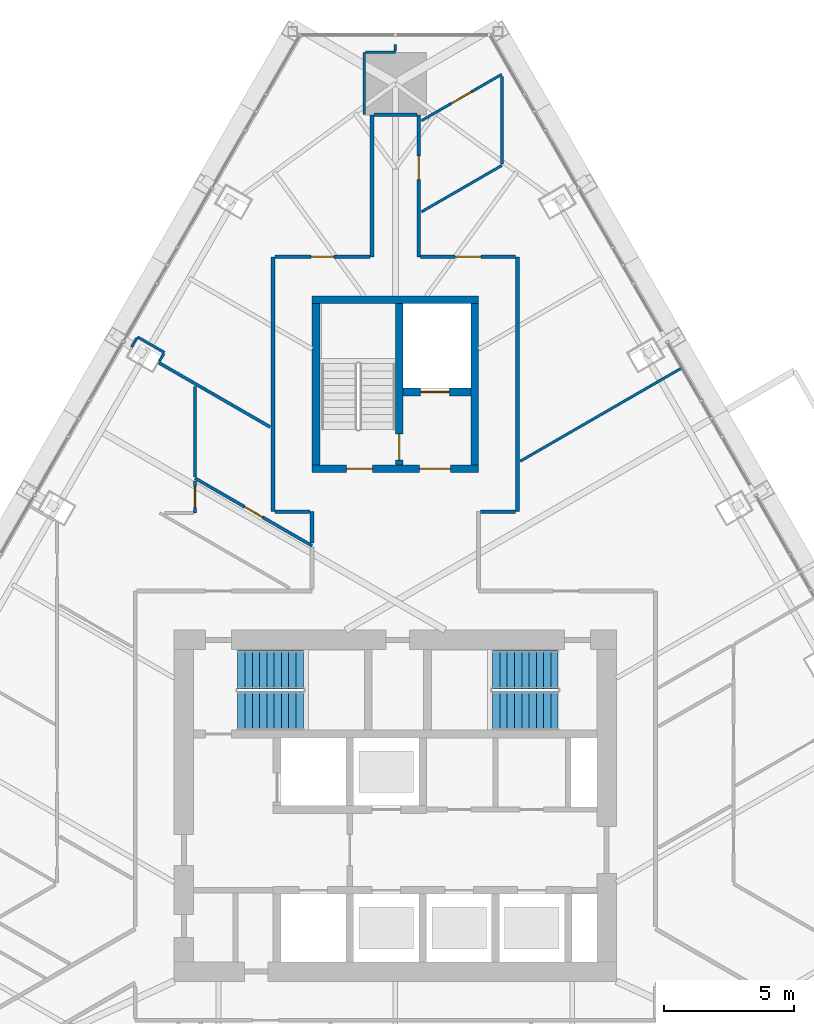
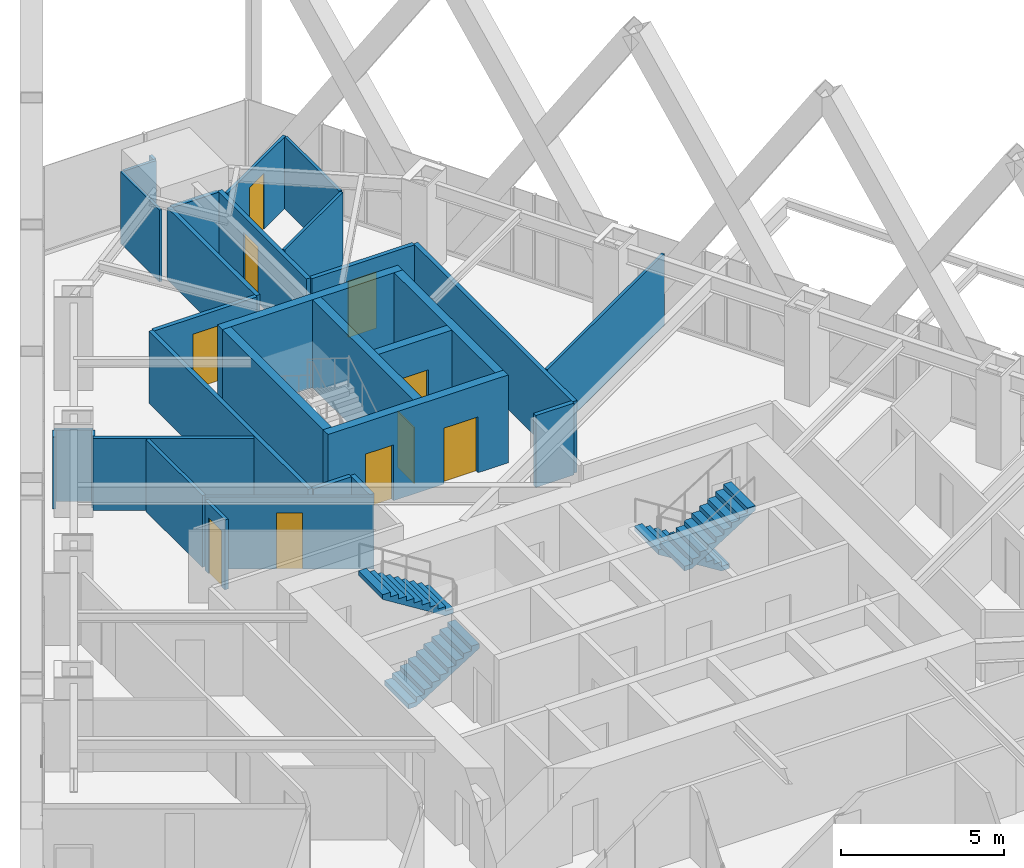
# One storey, part 21 of 24: 30 walls, 10 doors, 4 stair flights, 10 openings, 2 elements without a shape of their own.
"""IFC4 building model written with IfcOpenShell, lengths in metres."""

from ifc_helpers import new_model, si_unit, direction, frame, frame_2d, origin, place, context, subcontext, project, spatial, polyline, rectangle, outline, extrude, material, layer, layer_set, type_object, element, fill, aggregate, save


model = new_model("IFC4")

# Units and contexts
model_context = context("Model", 3, precision=1e-05, world=origin(), true_north=direction((0.0, 1.0)))
body_context = subcontext(model_context, "Body", "Model", "MODEL_VIEW")
ifc_project = project(units=[si_unit("LENGTHUNIT", "METRE"), si_unit("AREAUNIT", "SQUARE_METRE"), si_unit("VOLUMEUNIT", "CUBIC_METRE"), si_unit("PLANEANGLEUNIT", "RADIAN"), si_unit("MASSUNIT", "GRAM", prefix="KILO")], contexts=[model_context])

# Site, building, storey
site_placement = place(None, origin())
site = spatial("IfcSite", under=ifc_project, at=site_placement, CompositionType="ELEMENT")
building_placement = place(site_placement, origin())
building = spatial("IfcBuilding", under=site, at=building_placement, Name="Firuza Gate Tower and Library", CompositionType="ELEMENT")
storey_placement = place(building_placement, frame((0.0, 0.0, 260.10009765625)))
storey = spatial("IfcBuildingStorey", under=building, at=storey_placement, Name="L61", CompositionType="ELEMENT", Elevation=260.10009765625)

# Wall, openings, doors
ifc_material_1 = material(Name="Concrete C60/75", Category="concrete")
ifc_layer_1 = layer(ifc_material_1, 0.300048828125)
ifc_layer_set_1 = layer_set([ifc_layer_1], Name="Core wall 300 C60/75")
wall_type_1 = type_object("IfcWallType", Name="Core wall 300 C60/75", PredefinedType="SHEAR", material=ifc_layer_set_1)
wall_1_placement = place(storey_placement, frame((71.800048828125, 87.949951171875, 0.0), z_axis=(0.0, 0.0, 1.0), x_axis=(1.0, 0.0, 0.0)))
wall_1 = element("IfcWall", 1, at=wall_1_placement, inside=storey, type_object=wall_type_1, Name="Core wall L61 18", PredefinedType="SHEAR", context=body_context, shape_type="SweptSolid", body=[
    extrude(rectangle(XDim=6.39990234375, YDim=0.300048828125, at=frame_2d((3.199951171875, 0.0))), origin(), (0.0, 0.0, 1.0), 3.2998046875),
])
opening_1_placement = place(wall_1_placement, frame((1.324951171875, 0.0, 0.0)))
opening_1 = element("IfcOpeningElement", 2, at=opening_1_placement, cuts=wall_1, Name="Opening L61-K11", PredefinedType="OPENING", context=body_context, shape_type="SweptSolid", body=[
    extrude(rectangle(XDim=1.0, YDim=2.10009765625, at=frame_2d((0.5, 1.050048828125))), frame((0.0, 0.16015625, 0.0), z_axis=(0.0, -1.0, 0.0), x_axis=(1.0, 0.0, 0.0)), (0.0, 0.0, 1.0), 0.320068359375),
])
opening_2_placement = place(wall_1_placement, frame((4.125, 0.0, 0.0)))
opening_2 = element("IfcOpeningElement", 3, at=opening_2_placement, cuts=wall_1, Name="Opening L61-K13", PredefinedType="OPENING", context=body_context, shape_type="SweptSolid", body=[
    extrude(rectangle(XDim=1.199951171875, YDim=2.10009765625, at=frame_2d((0.60009765625, 1.050048828125))), frame((0.0, 0.16015625, 0.0), z_axis=(0.0, -1.0, 0.0), x_axis=(1.0, 0.0, 0.0)), (0.0, 0.0, 1.0), 0.320068359375),
])
ifc_material_2 = material(Name="Steel", Category="steel")
door_type_1 = type_object("IfcDoorType", Name="Fire door 1000x2100 FD90", OperationType="NOTDEFINED", PredefinedType="DOOR", material=ifc_material_2)
door_1_placement = place(opening_1_placement, origin())
door_1 = element("IfcDoor", 4, at=door_1_placement, inside=storey, type_object=door_type_1, Name="Door L61-K11", OperationType="SINGLE_SWING_RIGHT", OverallHeight=2.10009765625, OverallWidth=1.0, PredefinedType="DOOR", context=body_context, shape_type="SweptSolid", body=[
    extrude(rectangle(XDim=1.0, YDim=2.10009765625, at=frame_2d((0.5, 1.050048828125))), frame((0.0, 0.02490234375, 0.0), z_axis=(0.0, -1.0, 0.0), x_axis=(1.0, 0.0, 0.0)), (0.0, 0.0, 1.0), 0.050048828125),
])
fill(opening_1, door_1)
ifc_material_3 = material(Name="Steel", Category="steel")
door_type_2 = type_object("IfcDoorType", Name="Fire door 1200x2100 FD30S", OperationType="NOTDEFINED", PredefinedType="DOOR", material=ifc_material_3)
door_2_placement = place(opening_2_placement, origin())
door_2 = element("IfcDoor", 5, at=door_2_placement, inside=storey, type_object=door_type_2, Name="Door L61-K13", OperationType="SINGLE_SWING_RIGHT", OverallHeight=2.10009765625, OverallWidth=1.199951171875, PredefinedType="DOOR", context=body_context, shape_type="SweptSolid", body=[
    extrude(rectangle(XDim=1.199951171875, YDim=2.10009765625, at=frame_2d((0.60009765625, 1.050048828125))), frame((0.0, 0.02490234375, 0.0), z_axis=(0.0, -1.0, 0.0), x_axis=(1.0, 0.0, 0.0)), (0.0, 0.0, 1.0), 0.050048828125),
])
fill(opening_2, door_2)

# Walls
wall_2_placement = place(storey_placement, frame((71.800048828125, 94.449951171875, 0.0), z_axis=(0.0, 0.0, 1.0), x_axis=(1.0, 0.0, 0.0)))
element("IfcWall", 6, at=wall_2_placement, inside=storey, type_object=wall_type_1, Name="Core wall L61 19", PredefinedType="SHEAR", context=body_context, shape_type="SweptSolid", body=[
    extrude(rectangle(XDim=6.39990234375, YDim=0.300048828125, at=frame_2d((3.199951171875, 0.0))), origin(), (0.0, 0.0, 1.0), 3.2998046875),
])
for number, where, z_axis, x_axis, name in (
    (7, (71.949951171875, 88.10009765625, 0.0), (0.0, 0.0, 1.0), (0.0, 1.0, 0.0), "Core wall L61 20"),
    (8, (78.050048828125, 88.10009765625, 0.0), (0.0, 0.0, 1.0), (0.0, 1.0, 0.0), "Core wall L61 21"),
):
    element("IfcWall", number, at=place(storey_placement, frame(where, z_axis=z_axis, x_axis=x_axis)), inside=storey, type_object=wall_type_1, Name=name, PredefinedType="SHEAR", context=body_context, shape_type="SweptSolid", body=[
        extrude(rectangle(XDim=6.199951171875, YDim=0.300048828125, at=frame_2d((3.10009765625, 0.0))), origin(), (0.0, 0.0, 1.0), 3.2998046875),
    ])

# Wall, opening, door
wall_3_placement = place(storey_placement, frame((75.300048828125, 90.89990234375, 0.0), z_axis=(0.0, 0.0, 1.0), x_axis=(1.0, 0.0, 0.0)))
wall_3 = element("IfcWall", 9, at=wall_3_placement, inside=storey, type_object=wall_type_1, Name="Core wall L61 22", PredefinedType="SHEAR", context=body_context, shape_type="SweptSolid", body=[
    extrude(rectangle(XDim=2.599853515625, YDim=0.300048828125, at=frame_2d((1.2998046875, 0.0))), origin(), (0.0, 0.0, 1.0), 3.2998046875),
])
opening_3_placement = place(wall_3_placement, frame((0.675048828125, 0.0, 0.0)))
opening_3 = element("IfcOpeningElement", 10, at=opening_3_placement, cuts=wall_3, Name="Opening LD-SV1-L61", PredefinedType="OPENING", context=body_context, shape_type="SweptSolid", body=[
    extrude(rectangle(XDim=1.10009765625, YDim=2.10009765625, at=frame_2d((0.550048828125, 1.050048828125))), frame((0.0, 0.16015625, 0.0), z_axis=(0.0, -1.0, 0.0), x_axis=(1.0, 0.0, 0.0)), (0.0, 0.0, 1.0), 0.320068359375),
])
ifc_material_4 = material(Name="Stainless steel", Category="steel")
door_type_3 = type_object("IfcDoorType", Name="Lift landing door 1100x2100", OperationType="DOUBLE_DOOR_SLIDING", PredefinedType="DOOR", material=ifc_material_4)
door_3_placement = place(opening_3_placement, origin())
door_3 = element("IfcDoor", 11, at=door_3_placement, inside=storey, type_object=door_type_3, Name="Landing door SV1 L61", OperationType="DOUBLE_DOOR_SLIDING", OverallHeight=2.10009765625, OverallWidth=1.10009765625, PredefinedType="DOOR", context=body_context, shape_type="SweptSolid", body=[
    extrude(rectangle(XDim=1.10009765625, YDim=2.10009765625, at=frame_2d((0.550048828125, 1.050048828125))), frame((0.0, 0.02490234375, 0.0), z_axis=(0.0, -1.0, 0.0), x_axis=(1.0, 0.0, 0.0)), (0.0, 0.0, 1.0), 0.050048828125),
])
fill(opening_3, door_3)

wall_4_placement = place(storey_placement, frame((75.14990234375, 88.10009765625, 0.0), z_axis=(0.0, 0.0, 1.0), x_axis=(0.0, 1.0, 0.0)))
wall_4 = element("IfcWall", 12, at=wall_4_placement, inside=storey, type_object=wall_type_1, Name="Core wall L61 23", PredefinedType="SHEAR", context=body_context, shape_type="SweptSolid", body=[
    extrude(rectangle(XDim=6.199951171875, YDim=0.300048828125, at=frame_2d((3.10009765625, 0.0))), origin(), (0.0, 0.0, 1.0), 3.2998046875),
])
opening_4_placement = place(wall_4_placement, frame((0.18505859375, 0.0, 0.0)))
opening_4 = element("IfcOpeningElement", 13, at=opening_4_placement, cuts=wall_4, Name="Opening L61-K12", PredefinedType="OPENING", context=body_context, shape_type="SweptSolid", body=[
    extrude(rectangle(XDim=1.0, YDim=2.10009765625, at=frame_2d((0.5, 1.050048828125))), frame((0.0, 0.16015625, 0.0), z_axis=(0.0, -1.0, 0.0), x_axis=(1.0, 0.0, 0.0)), (0.0, 0.0, 1.0), 0.320068359375),
])
door_4_placement = place(opening_4_placement, origin())
door_4 = element("IfcDoor", 14, at=door_4_placement, inside=storey, type_object=door_type_1, Name="Door L61-K12", OperationType="SINGLE_SWING_LEFT", OverallHeight=2.10009765625, OverallWidth=1.0, PredefinedType="DOOR", context=body_context, shape_type="SweptSolid", body=[
    extrude(rectangle(XDim=1.0, YDim=2.10009765625, at=frame_2d((0.5, 1.050048828125))), frame((0.0, 0.02490234375, 0.0), z_axis=(0.0, -1.0, 0.0), x_axis=(1.0, 0.0, 0.0)), (0.0, 0.0, 1.0), 0.050048828125),
])
fill(opening_4, door_4)

# Walls
ifc_material_5 = material(Name="Gypsum board partition")
ifc_layer_2 = layer(ifc_material_5, 0.14990234375)
ifc_layer_set_2 = layer_set([ifc_layer_2], Name="Corridor wall 150 double board on steel studs")
wall_type_2 = type_object("IfcWallType", Name="Corridor wall 150 double board on steel studs", PredefinedType="PARTITIONING", material=ifc_layer_set_2)
wall_5_placement = place(storey_placement, frame((70.375, 86.300048828125, 0.0), z_axis=(0.0, 0.0, 1.0), x_axis=(1.0, 0.0, 0.0)))
element("IfcWall", 15, at=wall_5_placement, inside=storey, type_object=wall_type_2, Name="f:L61:w007", PredefinedType="PARTITIONING", context=body_context, shape_type="SweptSolid", body=[
    extrude(rectangle(XDim=1.35009765625, YDim=0.14990234375, at=frame_2d((0.675048828125, 0.0))), origin(), (0.0, 0.0, 1.0), 2.699951171875),
])
wall_6_placement = place(storey_placement, frame((78.27490234375, 86.300048828125, 0.0), z_axis=(0.0, 0.0, 1.0), x_axis=(1.0, 0.0, 0.0)))
element("IfcWall", 16, at=wall_6_placement, inside=storey, type_object=wall_type_2, Name="f:L61:w008", PredefinedType="PARTITIONING", context=body_context, shape_type="SweptSolid", body=[
    extrude(rectangle(XDim=1.349609375, YDim=0.14990234375, at=frame_2d((0.6748046875, 0.0))), origin(), (0.0, 0.0, 1.0), 2.699951171875),
])

# Wall, opening, door
wall_7_placement = place(storey_placement, frame((70.37548828125, 96.10009765625, 0.0), z_axis=(0.0, 0.0, 1.0), x_axis=(1.0, 0.0, 0.0)))
wall_7 = element("IfcWall", 17, at=wall_7_placement, inside=storey, type_object=wall_type_2, Name="f:L61:w009", PredefinedType="PARTITIONING", context=body_context, shape_type="SweptSolid", body=[
    extrude(rectangle(XDim=3.6494140625, YDim=0.14990234375, at=frame_2d((1.82470703125, 0.0))), origin(), (0.0, 0.0, 1.0), 2.699951171875),
])
opening_5_placement = place(wall_7_placement, frame((1.374755859375, 0.0, 0.0)))
opening_5 = element("IfcOpeningElement", 18, at=opening_5_placement, cuts=wall_7, Name="Opening L61-09", PredefinedType="OPENING", context=body_context, shape_type="SweptSolid", body=[
    extrude(rectangle(XDim=0.89990234375, YDim=2.10009765625, at=frame_2d((0.449951171875, 1.050048828125))), frame((0.0, 0.0849609375, 0.0), z_axis=(0.0, -1.0, 0.0), x_axis=(1.0, 0.0, 0.0)), (0.0, 0.0, 1.0), 0.169921875),
])
ifc_material_6 = material(Name="Steel door and timber leaf", Category="steel")
door_type_4 = type_object("IfcDoorType", Name="Fire door 900 x 2100 steel frame, timber leaf", OperationType="NOTDEFINED", PredefinedType="DOOR", material=ifc_material_6)
door_5_placement = place(opening_5_placement, origin())
door_5 = element("IfcDoor", 19, at=door_5_placement, inside=storey, type_object=door_type_4, Name="f:L61:d009", OperationType="SINGLE_SWING_LEFT", OverallHeight=2.10009765625, OverallWidth=0.89990234375, PredefinedType="DOOR", context=body_context, shape_type="SweptSolid", body=[
    extrude(rectangle(XDim=0.89990234375, YDim=2.10009765625, at=frame_2d((0.449951171875, 1.050048828125))), frame((0.0, 0.02490234375, 0.0), z_axis=(0.0, -1.0, 0.0), x_axis=(1.0, 0.0, 0.0)), (0.0, 0.0, 1.0), 0.050048828125),
])
fill(opening_5, door_5)

wall_8_placement = place(storey_placement, frame((79.62451171875, 96.10009765625, 0.0), z_axis=(0.0, 0.0, 1.0), x_axis=(-1.0, 0.0, 0.0)))
wall_8 = element("IfcWall", 20, at=wall_8_placement, inside=storey, type_object=wall_type_2, Name="f:L61:w010", PredefinedType="PARTITIONING", context=body_context, shape_type="SweptSolid", body=[
    extrude(rectangle(XDim=3.6494140625, YDim=0.14990234375, at=frame_2d((1.82470703125, 0.0))), origin(), (0.0, 0.0, 1.0), 2.699951171875),
])
opening_6_placement = place(wall_8_placement, frame((1.32470703125, 0.0, 0.0)))
opening_6 = element("IfcOpeningElement", 21, at=opening_6_placement, cuts=wall_8, Name="Opening L61-10", PredefinedType="OPENING", context=body_context, shape_type="SweptSolid", body=[
    extrude(rectangle(XDim=1.0, YDim=2.10009765625, at=frame_2d((0.5, 1.050048828125))), frame((0.0, 0.0849609375, 0.0), z_axis=(0.0, -1.0, 0.0), x_axis=(1.0, 0.0, 0.0)), (0.0, 0.0, 1.0), 0.169921875),
])
ifc_material_7 = material(Name="Steel door and timber leaf", Category="steel")
door_type_5 = type_object("IfcDoorType", Name="Fire door 1000 x 2100 steel frame, timber leaf", OperationType="NOTDEFINED", PredefinedType="DOOR", material=ifc_material_7)
door_6_placement = place(opening_6_placement, origin())
door_6 = element("IfcDoor", 22, at=door_6_placement, inside=storey, type_object=door_type_5, Name="f:L61:d010", OperationType="SINGLE_SWING_LEFT", OverallHeight=2.10009765625, OverallWidth=1.0, PredefinedType="DOOR", context=body_context, shape_type="SweptSolid", body=[
    extrude(rectangle(XDim=1.0, YDim=2.10009765625, at=frame_2d((0.5, 1.050048828125))), frame((0.0, 0.02490234375, 0.0), z_axis=(0.0, -1.0, 0.0), x_axis=(1.0, 0.0, 0.0)), (0.0, 0.0, 1.0), 0.050048828125),
])
fill(opening_6, door_6)

# Walls
wall_9_placement = place(storey_placement, frame((74.180419921875, 101.56005859375, 0.0), z_axis=(0.0, 0.0, 1.0), x_axis=(1.0, 0.0, 0.0)))
element("IfcWall", 23, at=wall_9_placement, inside=storey, type_object=wall_type_2, Name="f:L61:w011", PredefinedType="PARTITIONING", context=body_context, shape_type="SweptSolid", body=[
    extrude(rectangle(XDim=1.64404296875, YDim=0.14990234375, at=frame_2d((0.822021484375, 0.0))), origin(), (0.0, 0.0, 1.0), 2.697021484375),
])
wall_10_placement = place(storey_placement, frame((79.699951171875, 86.300537109375, 0.0), z_axis=(0.0, 0.0, 1.0), x_axis=(0.0, 1.0, 0.0)))
element("IfcWall", 24, at=wall_10_placement, inside=storey, type_object=wall_type_2, Name="f:L61:w043", PredefinedType="PARTITIONING", context=body_context, shape_type="SweptSolid", body=[
    extrude(rectangle(XDim=9.798828125, YDim=0.14990234375, at=frame_2d((4.8994140625, 0.0))), origin(), (0.0, 0.0, 1.0), 2.699951171875),
])

# Wall, opening, door
wall_11_placement = place(storey_placement, frame((75.89990234375, 101.559814453125, 0.0), z_axis=(0.0, 0.0, 1.0), x_axis=(0.0, -1.0, 0.0)))
wall_11 = element("IfcWall", 25, at=wall_11_placement, inside=storey, type_object=wall_type_2, Name="f:L61:w046", PredefinedType="PARTITIONING", context=body_context, shape_type="SweptSolid", body=[
    extrude(rectangle(XDim=5.459716796875, YDim=0.14990234375, at=frame_2d((2.72998046875, 0.0))), origin(), (0.0, 0.0, 1.0), 2.699951171875),
])
opening_7_placement = place(wall_11_placement, frame((1.589599609375, 0.0, 0.0)))
opening_7 = element("IfcOpeningElement", 26, at=opening_7_placement, cuts=wall_11, Name="Opening L61-23", PredefinedType="OPENING", context=body_context, shape_type="SweptSolid", body=[
    extrude(rectangle(XDim=0.89990234375, YDim=2.10009765625, at=frame_2d((0.449951171875, 1.050048828125))), frame((0.0, 0.0849609375, 0.0), z_axis=(0.0, -1.0, 0.0), x_axis=(1.0, 0.0, 0.0)), (0.0, 0.0, 1.0), 0.169921875),
])
door_7_placement = place(opening_7_placement, origin())
door_7 = element("IfcDoor", 27, at=door_7_placement, inside=storey, type_object=door_type_4, Name="f:L61:d023", OperationType="SINGLE_SWING_RIGHT", OverallHeight=2.10009765625, OverallWidth=0.89990234375, PredefinedType="DOOR", context=body_context, shape_type="SweptSolid", body=[
    extrude(rectangle(XDim=0.89990234375, YDim=2.10009765625, at=frame_2d((0.449951171875, 1.050048828125))), frame((0.0, 0.02490234375, 0.0), z_axis=(0.0, -1.0, 0.0), x_axis=(1.0, 0.0, 0.0)), (0.0, 0.0, 1.0), 0.050048828125),
])
fill(opening_7, door_7)

# Walls
wall_12_placement = place(storey_placement, frame((74.10009765625, 96.10009765625, 0.0), z_axis=(0.0, 0.0, 1.0), x_axis=(0.0, 1.0, 0.0)))
element("IfcWall", 28, at=wall_12_placement, inside=storey, type_object=wall_type_2, Name="f:L61:w048", PredefinedType="PARTITIONING", context=body_context, shape_type="SweptSolid", body=[
    extrude(rectangle(XDim=5.460205078125, YDim=0.14990234375, at=frame_2d((2.72998046875, 0.0))), origin(), (0.0, 0.0, 1.0), 2.699951171875),
])
wall_13_placement = place(storey_placement, frame((70.300048828125, 86.300048828125, 0.0), z_axis=(0.0, 0.0, 1.0), x_axis=(0.0, 1.0, 0.0)))
element("IfcWall", 29, at=wall_13_placement, inside=storey, type_object=wall_type_2, Name="f:L61:w052", PredefinedType="PARTITIONING", context=body_context, shape_type="SweptSolid", body=[
    extrude(rectangle(XDim=9.799560546875, YDim=0.14990234375, at=frame_2d((4.89990234375, 0.0))), origin(), (0.0, 0.0, 1.0), 2.699951171875),
])
wall_14_placement = place(storey_placement, frame((71.800048828125, 85.103271484375, 0.0), z_axis=(0.0, 0.0, 1.0), x_axis=(0.0, 1.0, 0.0)))
element("IfcWall", 30, at=wall_14_placement, inside=storey, type_object=wall_type_2, Name="f:L61:w085", PredefinedType="PARTITIONING", context=body_context, shape_type="SweptSolid", body=[
    extrude(rectangle(XDim=1.19677734375, YDim=0.14990234375, at=frame_2d((0.598388671875, 0.0))), origin(), (0.0, 0.0, 1.0), 2.699951171875),
])
ifc_material_8 = material(Name="Gypsum board partition")
ifc_layer_3 = layer(ifc_material_8, 0.10009765625)
ifc_layer_set_3 = layer_set([ifc_layer_3], Name="Partition 100 gypsum board on steel studs")
wall_type_3 = type_object("IfcWallType", Name="Partition 100 gypsum board on steel studs", PredefinedType="PARTITIONING", material=ifc_layer_set_3)
wall_15_placement = place(storey_placement, frame((73.8505859375, 103.9599609375, 0.0), z_axis=(0.0, 0.0, 1.0), x_axis=(1.0, 0.0, 0.0)))
element("IfcWall", 31, at=wall_15_placement, inside=storey, type_object=wall_type_3, Name="f:L61:w012", PredefinedType="PARTITIONING", context=body_context, shape_type="SweptSolid", body=[
    extrude(rectangle(XDim=1.1494140625, YDim=0.10009765625, at=frame_2d((0.57470703125, 0.0))), origin(), (0.0, 0.0, 1.0), 2.699951171875),
])
wall_16_placement = place(storey_placement, frame((79.80078125, 88.241455078125, 0.0), z_axis=(0.0, 0.0, 1.0), x_axis=(0.866016264047, 0.500015830155, 0.0)))
element("IfcWall", 32, at=wall_16_placement, inside=storey, type_object=wall_type_3, Name="f:L61:w027", PredefinedType="PARTITIONING", context=body_context, shape_type="SweptSolid", body=[
    extrude(rectangle(XDim=7.179443359375, YDim=0.10009765625, at=frame_2d((3.58984375, 0.0))), origin(), (0.0, 0.0, 1.0), 2.68798828125),
])
wall_17_placement = place(storey_placement, frame((76.000732421875, 97.825439453125, 0.0), z_axis=(0.0, 0.0, 1.0), x_axis=(0.866021986329, 0.500005919159, 0.0)))
element("IfcWall", 33, at=wall_17_placement, inside=storey, type_object=wall_type_3, Name="f:L61:w028", PredefinedType="PARTITIONING", context=body_context, shape_type="SweptSolid", body=[
    extrude(rectangle(XDim=3.57861328125, YDim=0.10009765625, at=frame_2d((1.789306640625, 0.0))), origin(), (0.0, 0.0, 1.0), 2.699951171875),
])

# Wall, opening, door
wall_18_placement = place(storey_placement, frame((79.088623046875, 103.114013671875, 0.0), z_axis=(0.0, 0.0, 1.0), x_axis=(-0.866000835515, -0.500042551078, 0.0)))
wall_18 = element("IfcWall", 34, at=wall_18_placement, inside=storey, type_object=wall_type_3, Name="f:L61:w029", PredefinedType="PARTITIONING", context=body_context, shape_type="SweptSolid", body=[
    extrude(rectangle(XDim=3.565185546875, YDim=0.10009765625, at=frame_2d((1.78271484375, 0.0))), origin(), (0.0, 0.0, 1.0), 2.699951171875),
])
opening_8_placement = place(wall_18_placement, frame((1.33251953125, 0.0, 0.0)))
opening_8 = element("IfcOpeningElement", 35, at=opening_8_placement, cuts=wall_18, Name="Opening L61-17", PredefinedType="OPENING", context=body_context, shape_type="SweptSolid", body=[
    extrude(rectangle(XDim=0.89990234375, YDim=2.10009765625, at=frame_2d((0.449951171875, 1.050048828125))), frame((0.0, 0.06005859375, 0.0), z_axis=(0.0, -1.0, 0.0), x_axis=(1.0, 0.0, 0.0)), (0.0, 0.0, 1.0), 0.1201171875),
])
ifc_material_9 = material(Name="Timber door", Category="wood")
door_type_6 = type_object("IfcDoorType", Name="Door 900 x 2100 timber leaf", OperationType="NOTDEFINED", PredefinedType="DOOR", material=ifc_material_9)
door_8_placement = place(opening_8_placement, origin())
door_8 = element("IfcDoor", 36, at=door_8_placement, inside=storey, type_object=door_type_6, Name="f:L61:d017", OperationType="SINGLE_SWING_LEFT", OverallHeight=2.10009765625, OverallWidth=0.89990234375, PredefinedType="DOOR", context=body_context, shape_type="SweptSolid", body=[
    extrude(rectangle(XDim=0.89990234375, YDim=2.10009765625, at=frame_2d((0.449951171875, 1.050048828125))), frame((0.0, 0.02490234375, 0.0), z_axis=(0.0, -1.0, 0.0), x_axis=(1.0, 0.0, 0.0)), (0.0, 0.0, 1.0), 0.050048828125),
])
fill(opening_8, door_8)

# Walls
wall_19_placement = place(storey_placement, frame((65.92919921875, 92.084716796875, 0.0), z_axis=(0.0, 0.0, 1.0), x_axis=(0.49970167553, 0.866197573001, 0.0)))
element("IfcWall", 37, at=wall_19_placement, inside=storey, type_object=wall_type_3, Name="f:L61:w031", PredefinedType="PARTITIONING", context=body_context, shape_type="SweptSolid", body=[
    extrude(rectangle(XDim=0.339111328125, YDim=0.10009765625, at=frame_2d((0.16943359375, 0.0))), origin(), (0.0, 0.0, 1.0), 2.699951171875),
])
wall_20_placement = place(storey_placement, frame((64.85986328125, 92.6328125, 0.0), z_axis=(0.0, 0.0, 1.0), x_axis=(0.500481453673, 0.865747257882, 0.0)))
element("IfcWall", 38, at=wall_20_placement, inside=storey, type_object=wall_type_3, Name="f:L61:w032", PredefinedType="PARTITIONING", context=body_context, shape_type="SweptSolid", body=[
    extrude(rectangle(XDim=0.39892578125, YDim=0.10009765625, at=frame_2d((0.199462890625, 0.0))), origin(), (0.0, 0.0, 1.0), 2.699951171875),
])
wall_21_placement = place(storey_placement, frame((79.10009765625, 99.672119140625, 0.0), z_axis=(0.0, 0.0, 1.0), x_axis=(0.0, 1.0, 0.0)))
element("IfcWall", 39, at=wall_21_placement, inside=storey, type_object=wall_type_3, Name="f:L61:w044", PredefinedType="PARTITIONING", context=body_context, shape_type="SweptSolid", body=[
    extrude(rectangle(XDim=3.3544921875, YDim=0.10009765625, at=frame_2d((1.67724609375, 0.0))), origin(), (0.0, 0.0, 1.0), 2.699951171875),
])
wall_22_placement = place(storey_placement, frame((75.0, 104.01025390625, 0.0), z_axis=(0.0, 0.0, 1.0), x_axis=(0.0, 1.0, 0.0)))
element("IfcWall", 40, at=wall_22_placement, inside=storey, type_object=wall_type_3, Name="f:L61:w047", PredefinedType="PARTITIONING", context=body_context, shape_type="SweptSolid", body=[
    extrude(rectangle(XDim=0.25, YDim=0.10009765625, at=frame_2d((0.125, 0.0))), origin(), (0.0, 0.0, 1.0), 2.699951171875),
])
wall_23_placement = place(storey_placement, frame((73.800048828125, 101.560791015625, 0.0), z_axis=(0.0, 0.0, 1.0), x_axis=(0.0, 1.0, 0.0)))
element("IfcWall", 41, at=wall_23_placement, inside=storey, type_object=wall_type_3, Name="f:L61:w049", PredefinedType="PARTITIONING", context=body_context, shape_type="SweptSolid", body=[
    extrude(rectangle(XDim=2.39892578125, YDim=0.10009765625, at=frame_2d((1.199462890625, 0.0))), origin(), (0.0, 0.0, 1.0), 2.699951171875),
])
wall_24_placement = place(storey_placement, frame((66.12353515625, 92.42236328125, 0.0), z_axis=(0.0, 0.0, 1.0), x_axis=(-0.865978732077, 0.500080829057, 0.0)))
element("IfcWall", 42, at=wall_24_placement, inside=storey, type_object=wall_type_3, Name="f:L61:w064", PredefinedType="PARTITIONING", context=body_context, shape_type="SweptSolid", body=[
    extrude(rectangle(XDim=1.198974609375, YDim=0.10009765625, at=frame_2d((0.599609375, 0.0))), origin(), (0.0, 0.0, 1.0), 2.68798828125),
])

# Wall, opening, door
ifc_material_10 = material(Name="Gypsum board partition")
ifc_layer_4 = layer(ifc_material_10, 0.1201171875)
ifc_layer_set_4 = layer_set([ifc_layer_4], Name="Wet-area partition 120 moisture-resistant board")
wall_type_4 = type_object("IfcWallType", Name="Wet-area partition 120 moisture-resistant board", PredefinedType="PARTITIONING", material=ifc_layer_set_4)
wall_25_placement = place(storey_placement, frame((67.300048828125, 87.484619140625, 0.0), z_axis=(0.0, 0.0, 1.0), x_axis=(0.0, -1.0, 0.0)))
wall_25 = element("IfcWall", 43, at=wall_25_placement, inside=storey, type_object=wall_type_4, Name="f:L61:w054", PredefinedType="PARTITIONING", context=body_context, shape_type="SweptSolid", body=[
    extrude(rectangle(XDim=1.234130859375, YDim=0.1201171875, at=frame_2d((0.6171875, 0.0))), origin(), (0.0, 0.0, 1.0), 2.621826171875),
])
opening_9_placement = place(wall_25_placement, frame((0.217041015625, 0.0, 0.0)))
opening_9 = element("IfcOpeningElement", 44, at=opening_9_placement, cuts=wall_25, Name="Opening L61-25", PredefinedType="OPENING", context=body_context, shape_type="SweptSolid", body=[
    extrude(rectangle(XDim=0.800048828125, YDim=2.10009765625, at=frame_2d((0.39990234375, 1.050048828125))), frame((0.0, 0.070068359375, 0.0), z_axis=(0.0, -1.0, 0.0), x_axis=(1.0, 0.0, 0.0)), (0.0, 0.0, 1.0), 0.14013671875),
])
ifc_material_11 = material(Name="Timber door", Category="wood")
door_type_7 = type_object("IfcDoorType", Name="Door 800 x 2100 timber leaf", OperationType="NOTDEFINED", PredefinedType="DOOR", material=ifc_material_11)
door_9_placement = place(opening_9_placement, origin())
door_9 = element("IfcDoor", 45, at=door_9_placement, inside=storey, type_object=door_type_7, Name="f:L61:d025", OperationType="SINGLE_SWING_LEFT", OverallHeight=2.10009765625, OverallWidth=0.800048828125, PredefinedType="DOOR", context=body_context, shape_type="SweptSolid", body=[
    extrude(rectangle(XDim=0.800048828125, YDim=2.10009765625, at=frame_2d((0.39990234375, 1.050048828125))), frame((0.0, 0.02490234375, 0.0), z_axis=(0.0, -1.0, 0.0), x_axis=(1.0, 0.0, 0.0)), (0.0, 0.0, 1.0), 0.050048828125),
])
fill(opening_9, door_9)

# Wall
wall_26_placement = place(storey_placement, frame((70.1904296875, 89.554931640625, 0.0), z_axis=(0.0, 0.0, 1.0), x_axis=(-0.866036249428, 0.499981214323, 0.0)))
element("IfcWall", 46, at=wall_26_placement, inside=storey, type_object=wall_type_4, Name="f:L61:w065", PredefinedType="PARTITIONING", context=body_context, shape_type="SweptSolid", body=[
    extrude(rectangle(XDim=4.954833984375, YDim=0.1201171875, at=frame_2d((2.4775390625, 0.0))), origin(), (0.0, 0.0, 1.0), 2.699951171875),
])

# Wall, opening, door
wall_27_placement = place(storey_placement, frame((67.2998046875, 87.5888671875, 0.0), z_axis=(0.0, 0.0, 1.0), x_axis=(0.866019710441, -0.50000986103, 0.0)))
wall_27 = element("IfcWall", 47, at=wall_27_placement, inside=storey, type_object=wall_type_4, Name="f:L61:w066", PredefinedType="PARTITIONING", context=body_context, shape_type="SweptSolid", body=[
    extrude(rectangle(XDim=5.1962890625, YDim=0.1201171875, at=frame_2d((2.59814453125, 0.0))), origin(), (0.0, 0.0, 1.0), 2.699951171875),
])
opening_10_placement = place(wall_27_placement, frame((2.197998046875, 0.0, 0.0)))
opening_10 = element("IfcOpeningElement", 48, at=opening_10_placement, cuts=wall_27, Name="Opening L61-30", PredefinedType="OPENING", context=body_context, shape_type="SweptSolid", body=[
    extrude(rectangle(XDim=0.800048828125, YDim=2.10009765625, at=frame_2d((0.39990234375, 1.050048828125))), frame((0.0, 0.070068359375, 0.0), z_axis=(0.0, -1.0, 0.0), x_axis=(1.0, 0.0, 0.0)), (0.0, 0.0, 1.0), 0.14013671875),
])
door_10_placement = place(opening_10_placement, origin())
door_10 = element("IfcDoor", 49, at=door_10_placement, inside=storey, type_object=door_type_7, Name="f:L61:d030", OperationType="SINGLE_SWING_LEFT", OverallHeight=2.10009765625, OverallWidth=0.800048828125, PredefinedType="DOOR", context=body_context, shape_type="SweptSolid", body=[
    extrude(rectangle(XDim=0.800048828125, YDim=2.10009765625, at=frame_2d((0.39990234375, 1.050048828125))), frame((0.0, 0.02490234375, 0.0), z_axis=(0.0, -1.0, 0.0), x_axis=(1.0, 0.0, 0.0)), (0.0, 0.0, 1.0), 0.050048828125),
])
fill(opening_10, door_10)

# Wall
wall_28_placement = place(storey_placement, frame((67.300048828125, 87.640625, 0.0), z_axis=(0.0, 0.0, 1.0), x_axis=(0.0, 1.0, 0.0)))
element("IfcWall", 50, at=wall_28_placement, inside=storey, type_object=wall_type_4, Name="f:L61:w086", PredefinedType="PARTITIONING", context=body_context, shape_type="SweptSolid", body=[
    extrude(rectangle(XDim=3.473388671875, YDim=0.1201171875, at=frame_2d((1.73681640625, 0.0))), origin(), (0.0, 0.0, 1.0), 2.699951171875),
])

# Stair, stair flights
ifc_material_12 = material(Name="Concrete C35/45", Category="concrete")
stair_type = type_object("IfcStairType", Name="Exit stair ST8", PredefinedType="HALF_TURN_STAIR", material=ifc_material_12)
placement = place(storey_placement, origin())
stair_1 = element("IfcStair", 51, at=placement, inside=storey, type_object=stair_type, Name="L61 Stair ST1", PredefinedType="HALF_TURN_STAIR")
ifc_material_13 = material(Name="Concrete C35/45", Category="concrete")
stair_flight_type = type_object("IfcStairFlightType", Name="Stair flight 10 risers 175 width 1490", PredefinedType="STRAIGHT", material=ifc_material_13)
stair_flight_1_placement = place(storey_placement, frame((68.93994140625, 78.64501953125, 0.0), z_axis=(0.0, 0.0, 1.0), x_axis=(1.0, 0.0, 0.0)))
stair_flight_1 = element("IfcStairFlight", 52, at=stair_flight_1_placement, type_object=stair_flight_type, Name="ST1 flight 1", NumberOfRisers=10, NumberOfTreads=9, PredefinedType="STRAIGHT", RiserHeight=0.175, TreadLength=0.28, context=body_context, shape_type="SweptSolid", body=[
    extrude(outline(polyline([(0.0, 0.0), (0.0, 0.175048828125), (0.280029296875, 0.175048828125), (0.280029296875, 0.35009765625), (0.56005859375, 0.35009765625), (0.56005859375, 0.52490234375), (0.840087890625, 0.52490234375), (0.840087890625, 0.699951171875), (1.1201171875, 0.699951171875), (1.1201171875, 0.875), (1.39990234375, 0.875), (1.39990234375, 1.050048828125), (1.679931640625, 1.050048828125), (1.679931640625, 1.22509765625), (1.9599609375, 1.22509765625), (1.9599609375, 1.39990234375), (2.239990234375, 1.39990234375), (2.239990234375, 1.574951171875), (2.52001953125, 1.574951171875), (2.52001953125, 1.75), (2.52001953125, 1.398193359375), (0.28271484375, 0.0), (0.0, 0.0)])), frame((0.0, 0.7451171875, 0.0), z_axis=(0.0, -1.0, 0.0), x_axis=(1.0, 0.0, 0.0)), (0.0, 0.0, 1.0), 1.489990234375),
])
stair_flight_2_placement = place(storey_placement, frame((71.4599609375, 80.235107421875, 1.75), z_axis=(0.0, 0.0, 1.0), x_axis=(-1.0, 0.0, 0.0)))
stair_flight_2 = element("IfcStairFlight", 53, at=stair_flight_2_placement, type_object=stair_flight_type, Name="ST1 flight 2", NumberOfRisers=10, NumberOfTreads=9, PredefinedType="STRAIGHT", RiserHeight=0.175, TreadLength=0.28, context=body_context, shape_type="SweptSolid", body=[
    extrude(outline(polyline([(0.0, 0.0), (0.0, 0.175048828125), (0.280029296875, 0.175048828125), (0.280029296875, 0.35009765625), (0.56005859375, 0.35009765625), (0.56005859375, 0.52490234375), (0.840087890625, 0.52490234375), (0.840087890625, 0.699951171875), (1.1201171875, 0.699951171875), (1.1201171875, 0.875), (1.39990234375, 0.875), (1.39990234375, 1.050048828125), (1.679931640625, 1.050048828125), (1.679931640625, 1.22509765625), (1.9599609375, 1.22509765625), (1.9599609375, 1.39990234375), (2.239990234375, 1.39990234375), (2.239990234375, 1.574951171875), (2.52001953125, 1.574951171875), (2.52001953125, 1.75), (2.52001953125, 1.398193359375), (0.28271484375, 0.0), (0.0, 0.0)])), frame((0.0, 0.7451171875, 0.0), z_axis=(0.0, -1.0, 0.0), x_axis=(1.0, 0.0, 0.0)), (0.0, 0.0, 1.0), 1.489990234375),
])
aggregate(stair_1, [stair_flight_1, stair_flight_2])

stair_2 = element("IfcStair", 54, at=placement, inside=storey, type_object=stair_type, Name="L61 Stair ST2", PredefinedType="HALF_TURN_STAIR")
stair_flight_3_placement = place(storey_placement, frame((81.260009765625, 80.235107421875, 0.0), z_axis=(0.0, 0.0, 1.0), x_axis=(-1.0, 0.0, 0.0)))
stair_flight_3 = element("IfcStairFlight", 55, at=stair_flight_3_placement, type_object=stair_flight_type, Name="ST2 flight 1", NumberOfRisers=10, NumberOfTreads=9, PredefinedType="STRAIGHT", RiserHeight=0.175, TreadLength=0.28, context=body_context, shape_type="SweptSolid", body=[
    extrude(outline(polyline([(0.0, 0.0), (0.0, 0.175048828125), (0.280029296875, 0.175048828125), (0.280029296875, 0.35009765625), (0.56005859375, 0.35009765625), (0.56005859375, 0.52490234375), (0.840087890625, 0.52490234375), (0.840087890625, 0.699951171875), (1.1201171875, 0.699951171875), (1.1201171875, 0.875), (1.39990234375, 0.875), (1.39990234375, 1.050048828125), (1.679931640625, 1.050048828125), (1.679931640625, 1.22509765625), (1.9599609375, 1.22509765625), (1.9599609375, 1.39990234375), (2.239990234375, 1.39990234375), (2.239990234375, 1.574951171875), (2.52001953125, 1.574951171875), (2.52001953125, 1.75), (2.52001953125, 1.398193359375), (0.28271484375, 0.0), (0.0, 0.0)])), frame((0.0, 0.7451171875, 0.0), z_axis=(0.0, -1.0, 0.0), x_axis=(1.0, 0.0, 0.0)), (0.0, 0.0, 1.0), 1.489990234375),
])
stair_flight_4_placement = place(storey_placement, frame((78.739990234375, 78.64501953125, 1.75), z_axis=(0.0, 0.0, 1.0), x_axis=(1.0, 0.0, 0.0)))
stair_flight_4 = element("IfcStairFlight", 56, at=stair_flight_4_placement, type_object=stair_flight_type, Name="ST2 flight 2", NumberOfRisers=10, NumberOfTreads=9, PredefinedType="STRAIGHT", RiserHeight=0.175, TreadLength=0.28, context=body_context, shape_type="SweptSolid", body=[
    extrude(outline(polyline([(0.0, 0.0), (0.0, 0.175048828125), (0.280029296875, 0.175048828125), (0.280029296875, 0.35009765625), (0.56005859375, 0.35009765625), (0.56005859375, 0.52490234375), (0.840087890625, 0.52490234375), (0.840087890625, 0.699951171875), (1.1201171875, 0.699951171875), (1.1201171875, 0.875), (1.39990234375, 0.875), (1.39990234375, 1.050048828125), (1.679931640625, 1.050048828125), (1.679931640625, 1.22509765625), (1.9599609375, 1.22509765625), (1.9599609375, 1.39990234375), (2.239990234375, 1.39990234375), (2.239990234375, 1.574951171875), (2.52001953125, 1.574951171875), (2.52001953125, 1.75), (2.52001953125, 1.398193359375), (0.28271484375, 0.0), (0.0, 0.0)])), frame((0.0, 0.7451171875, 0.0), z_axis=(0.0, -1.0, 0.0), x_axis=(1.0, 0.0, 0.0)), (0.0, 0.0, 1.0), 1.489990234375),
])
aggregate(stair_2, [stair_flight_3, stair_flight_4])

save(model, "model.ifc")
